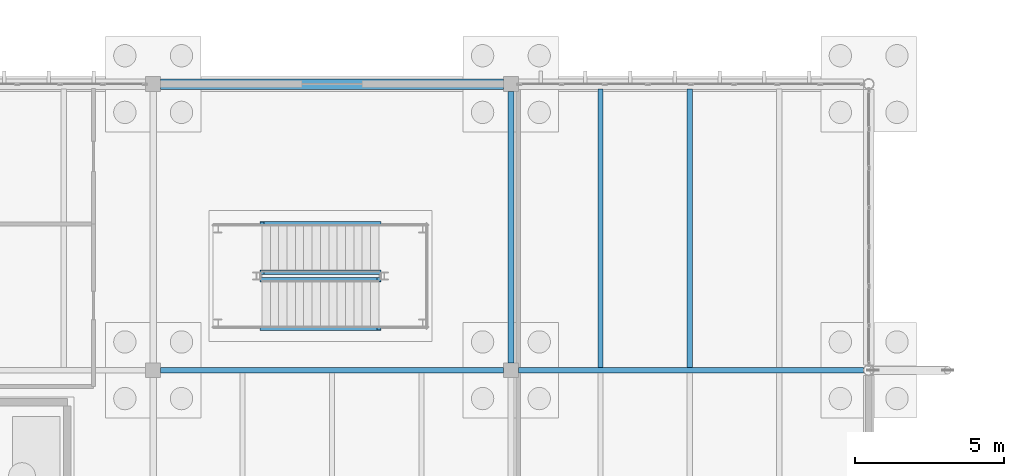
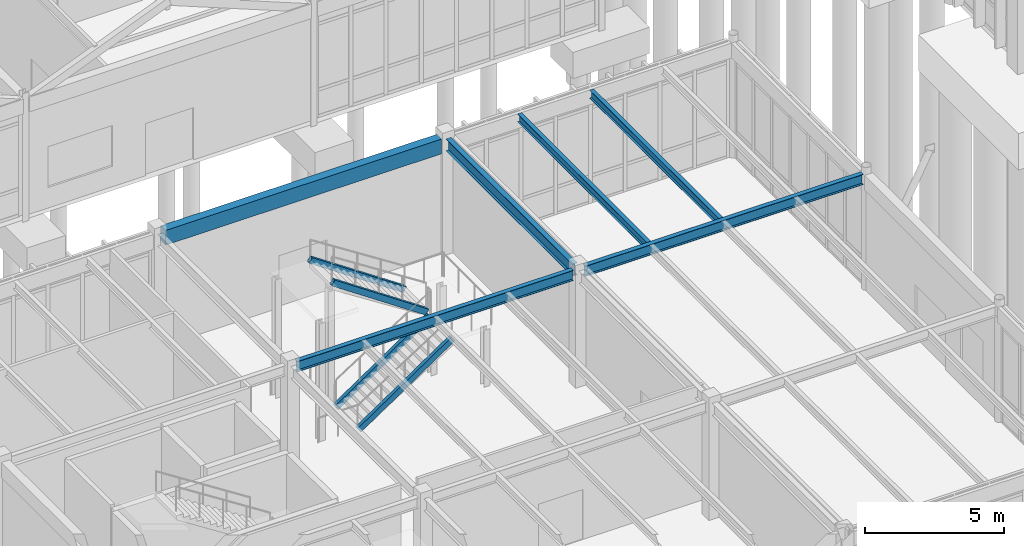
# One storey, part 30 of 188: 6 beams, 4 members.
"""IFC4 building model written with IfcOpenShell, lengths in metres."""

import ifcopenshell
import ifcopenshell.guid

model = None  # the IFC model being written
_history = None  # IfcOwnerHistory: only IFC2X3 demands one
_inside = {}  # id of a spatial element -> (the spatial element, [elements in it])
_under = {}  # id of a project, library or spatial element -> (it, [spatial elements below it])
_declared = {}  # id of a project -> (the project, [libraries it declares])
_typed = {}  # id of a type object -> (the type object, [elements of that type])
_made_of = {}  # id of a material, layer set ... -> (it, [elements and type objects made of it])


def new_model(schema):
    """Start an empty IFC model of exactly this schema.

    Asked for "IFC4X3", IfcOpenShell would pick the latest addendum, in which some entities
    have other attributes; the version numbers below select the first issue.
    IFC2X3 requires an IfcOwnerHistory on every rooted entity: one is made here for all.
    """
    global model, _history
    if schema == "IFC4X3":
        model = ifcopenshell.file(schema_version=(4, 3, 0, 0))
    else:
        model = ifcopenshell.file(schema=schema)
    _inside.clear()
    _under.clear()
    _declared.clear()
    _typed.clear()
    _made_of.clear()
    _history = None
    if model.schema == "IFC2X3":
        org = make("IfcOrganization", Name="unknown")
        user = make(
            "IfcPersonAndOrganization",
            ThePerson=make("IfcPerson", FamilyName="unknown"),
            TheOrganization=org,
        )
        app = make(
            "IfcApplication",
            ApplicationDeveloper=org,
            Version="unknown",
            ApplicationFullName="unknown",
            ApplicationIdentifier="unknown",
        )
        _history = make(
            "IfcOwnerHistory",
            OwningUser=user,
            OwningApplication=app,
            ChangeAction="ADDED",
            CreationDate=0,
        )
    return model


def make(cls, **values):
    """One entity of the class cls with the attributes given. An attribute that is None is left unset."""
    return model.create_entity(
        cls, **{name: value for name, value in values.items() if value is not None}
    )


def rooted(cls, **values):
    """An entity with a GlobalId (a new one), such as an element, a storey or a relation."""
    return make(cls, GlobalId=ifcopenshell.guid.new(), OwnerHistory=_history, **values)


def si_unit(unit_type, name, prefix=None):
    """IfcSIUnit, for example si_unit("LENGTHUNIT", "METRE", prefix="MILLI")."""
    return make("IfcSIUnit", UnitType=unit_type, Prefix=prefix, Name=name)


def assignment(units):
    """IfcUnitAssignment: the units of a project."""
    return None if units is None else make("IfcUnitAssignment", Units=units)


def point(xyz):
    """IfcCartesianPoint."""
    return None if xyz is None else make("IfcCartesianPoint", Coordinates=xyz)


def direction(xyz):
    """IfcDirection."""
    return None if xyz is None else make("IfcDirection", DirectionRatios=xyz)


def frame(location, z_axis=None, x_axis=None):
    """IfcAxis2Placement3D, a coordinate frame: its origin and axes. An axis left out is left unset."""
    return make(
        "IfcAxis2Placement3D",
        Location=point(location),
        Axis=direction(z_axis),
        RefDirection=direction(x_axis),
    )


def frame_2d(location, x_axis=None):
    """IfcAxis2Placement2D, a coordinate frame in the plane: its origin and x axis."""
    return make(
        "IfcAxis2Placement2D", Location=point(location), RefDirection=direction(x_axis)
    )


def origin():
    """The frame at (0, 0, 0) with its axes left unset."""
    return frame((0.0, 0.0, 0.0))


def origin_2d():
    """The frame at (0, 0) in the plane with its x axis left unset."""
    return frame_2d((0.0, 0.0))


def place(relative_to, where):
    """IfcLocalPlacement: puts the frame where relative to a parent placement (None: the world)."""
    return make(
        "IfcLocalPlacement", PlacementRelTo=relative_to, RelativePlacement=where
    )


def context(
    kind, dimensions, precision=None, world=None, true_north=None, identifier=None
):
    """IfcGeometricRepresentationContext, for example the 3D "Model" context."""
    return make(
        "IfcGeometricRepresentationContext",
        ContextIdentifier=identifier,
        ContextType=kind,
        CoordinateSpaceDimension=dimensions,
        Precision=precision,
        WorldCoordinateSystem=world,
        TrueNorth=true_north,
    )


def subcontext(parent, identifier, kind, view, scale=None):
    """IfcGeometricRepresentationSubContext, for example "Body" below "Model"."""
    return make(
        "IfcGeometricRepresentationSubContext",
        ContextIdentifier=identifier,
        ContextType=kind,
        ParentContext=parent,
        TargetScale=scale,
        TargetView=view,
    )


def project(units=None, contexts=None):
    """IfcProject with its units and contexts."""
    return rooted(
        "IfcProject",
        Name="project",
        RepresentationContexts=contexts,
        UnitsInContext=assignment(units),
    )


def spatial(cls, under=None, at=None, **own):
    """A site, building, storey or space (cls), placed at a placement, below another one or the project."""
    s = rooted(cls, ObjectPlacement=at, **own)
    if under is not None:
        _under.setdefault(under.id(), (under, []))[1].append(s)
    return s


def profile(cls, at=None, kind="AREA", **sizes):
    """A parametric profile (cls). Its sizes go by their IFC names, for example OverallWidth=200.0."""
    return make(cls, ProfileType=kind, Position=at, **sizes)


def rectangle(**sizes):
    """IfcRectangleProfileDef."""
    return profile("IfcRectangleProfileDef", **sizes)


def hollow_rectangle(**sizes):
    """IfcRectangleHollowProfileDef."""
    return profile("IfcRectangleHollowProfileDef", **sizes)


def i_section(**sizes):
    """IfcIShapeProfileDef."""
    return profile("IfcIShapeProfileDef", **sizes)


def extrude(swept, where, along, depth):
    """IfcExtrudedAreaSolid: the profile swept, set in the frame where, extruded along a direction by depth."""
    return make(
        "IfcExtrudedAreaSolid",
        SweptArea=swept,
        Position=where,
        ExtrudedDirection=direction(along),
        Depth=depth,
    )


def shape(context_of_items, identifier, shape_type, items):
    """IfcShapeRepresentation: the items that make up one representation, for example the "Body"."""
    return make(
        "IfcShapeRepresentation",
        ContextOfItems=context_of_items,
        RepresentationIdentifier=identifier,
        RepresentationType=shape_type,
        Items=items,
    )


def material(Name=None, Category=None):
    """IfcMaterial."""
    return make("IfcMaterial", Name=Name, Category=Category)


def material_profile(
    of_material, cross_section, Name=None, Category=None, Priority=None
):
    """IfcMaterialProfile: a cross section and its material."""
    return make(
        "IfcMaterialProfile",
        Name=Name,
        Material=of_material,
        Profile=cross_section,
        Priority=Priority,
        Category=Category,
    )


def profile_set(profiles, Name=None, composite=None):
    """IfcMaterialProfileSet."""
    return make(
        "IfcMaterialProfileSet",
        Name=Name,
        MaterialProfiles=profiles,
        CompositeProfile=composite,
    )


def made_of(thing, what):
    """Note that an element or type object is made of a material, layer set ...; save() writes the relation."""
    if what is not None:
        _made_of.setdefault(what.id(), (what, []))[1].append(thing)
    return thing


def type_object(cls, material=None, **own):
    """A type object (cls), such as IfcWallType, which elements share."""
    return made_of(rooted(cls, **own), material)


def element(
    cls,
    number,
    at=None,
    inside=None,
    cuts=None,
    type_object=None,
    material=None,
    context=None,
    identifier="Body",
    shape_type=None,
    held_by="IfcProductDefinitionShape",
    body=None,
    shapes=None,
    **own,
):
    """One element of the class cls, such as IfcWall. Its Tag is "e" and its number.

    at: its placement. inside: the storey or other place that contains it. cuts: it is an
    opening in that element (IfcRelVoidsElement). A single representation is given by context,
    identifier, shape_type and body (its items); several are given by shapes. held_by: the class
    of the entity that holds the representations. save() writes the other relations.
    """
    e = rooted(cls, Tag="e%d" % number, ObjectPlacement=at, **own)
    if body is not None:
        shapes = [shape(context, identifier, shape_type, body)]
    if shapes is not None:
        e.Representation = make(held_by, Representations=shapes)
    if inside is not None:
        _inside.setdefault(inside.id(), (inside, []))[1].append(e)
    if cuts is not None:
        rooted(
            "IfcRelVoidsElement", RelatingBuildingElement=cuts, RelatedOpeningElement=e
        )
    if type_object is not None:
        _typed.setdefault(type_object.id(), (type_object, []))[1].append(e)
    return made_of(e, material)


def aggregate(whole, parts):
    """IfcRelAggregates: a whole, such as a stair, and the parts it consists of."""
    return rooted("IfcRelAggregates", RelatingObject=whole, RelatedObjects=parts)


def save(model, path):
    """Write the relations noted so far, then the file.

    IfcRelAggregates (storeys below a building ...), IfcRelContainedInSpatialStructure (elements
    in a storey), IfcRelDefinesByType, IfcRelAssociatesMaterial and IfcRelDeclares: one each for
    every whole, place, type object, material and project.
    """
    for whole, parts in _under.values():
        aggregate(whole, parts)
    for where, things in _inside.values():
        rooted(
            "IfcRelContainedInSpatialStructure",
            RelatedElements=things,
            RelatingStructure=where,
        )
    for kind, things in _typed.values():
        rooted("IfcRelDefinesByType", RelatedObjects=things, RelatingType=kind)
    for what, things in _made_of.values():
        rooted("IfcRelAssociatesMaterial", RelatedObjects=things, RelatingMaterial=what)
    for by, libraries in _declared.values():
        rooted("IfcRelDeclares", RelatingContext=by, RelatedDefinitions=libraries)
    model.write(path)


model = new_model("IFC4")

# Units and contexts
model_context = context("Model", 3, precision=1e-05, world=origin(), true_north=direction((0.0, 1.0)))
body_context = subcontext(model_context, "Body", "Model", "MODEL_VIEW")
ifc_project = project(units=[si_unit("LENGTHUNIT", "METRE"), si_unit("AREAUNIT", "SQUARE_METRE"), si_unit("VOLUMEUNIT", "CUBIC_METRE"), si_unit("PLANEANGLEUNIT", "RADIAN"), si_unit("MASSUNIT", "GRAM", prefix="KILO")], contexts=[model_context])

# Site, building, storey
site_placement = place(None, origin())
site = spatial("IfcSite", under=ifc_project, at=site_placement, CompositionType="ELEMENT")
building_placement = place(site_placement, origin())
building = spatial("IfcBuilding", under=site, at=building_placement, Name="Pandanus Reach Market Hall", CompositionType="ELEMENT")
storey_placement = place(building_placement, origin())
storey = spatial("IfcBuildingStorey", under=building, at=storey_placement, Name="L00", CompositionType="ELEMENT", Elevation=0.0)

# Beams
ifc_material_1 = material(Name="Concrete N40 (40 MPa)", Category="concrete")
ifc_material_profile_1 = material_profile(ifc_material_1, rectangle(XDim=0.35009765625, YDim=0.64990234375, at=origin_2d()), Name="RC350x650", Category="LoadBearing")
ifc_profile_set_1 = profile_set([ifc_material_profile_1], Name="Concrete N40 (40 MPa)")
beam_type_1 = type_object("IfcBeamType", Name="BM-RC350-E", PredefinedType="SPANDREL", material=ifc_profile_set_1)
beam_1_placement = place(storey_placement, frame((12.248046875, 28.800048828125, 4.784912109375), z_axis=(1.0, 0.0, 0.0), x_axis=(0.0, 1.0, 0.0)))
element("IfcBeam", 1, at=beam_1_placement, inside=storey, type_object=beam_type_1, Name="Framing beam BM-RC350-E L00.931", PredefinedType="SPANDREL", context=body_context, shape_type="SweptSolid", body=[
    extrude(rectangle(XDim=0.35009765625, YDim=0.64990234375, at=origin_2d()), origin(), (0.0, 0.0, 1.0), 11.50390625),
])
ifc_material_2 = material(Name="Steel Grade 350 (350 MPa)", Category="steel")
ifc_material_profile_2 = material_profile(ifc_material_2, i_section(OverallWidth=0.18994140625, OverallDepth=0.45703125, WebThickness=0.009033203125, FlangeThickness=0.014404296875, at=origin_2d()), Name="460UB74.6", Category="LoadBearing")
ifc_profile_set_2 = profile_set([ifc_material_profile_2], Name="Steel Grade 350 (350 MPa)")
beam_type_2 = type_object("IfcBeamType", Name="BM-UB460-I", PredefinedType="BEAM", material=ifc_profile_set_2)
beam_2_placement = place(storey_placement, frame((12.248046875, 19.199951171875, 4.881103515625), z_axis=(1.0, 0.0, 0.0), x_axis=(0.0, 1.0, 0.0)))
element("IfcBeam", 2, at=beam_2_placement, inside=storey, type_object=beam_type_2, Name="Framing beam BM-UB460-I L00.928", PredefinedType="BEAM", context=body_context, shape_type="SweptSolid", body=[
    extrude(i_section(OverallWidth=0.18994140625, OverallDepth=0.45703125, WebThickness=0.009033203125, FlangeThickness=0.014404296875, at=origin_2d()), origin(), (0.0, 0.0, 1.0), 11.50390625),
])
beam_3_placement = place(storey_placement, frame((24.248046875, 19.199951171875, 4.881103515625), z_axis=(1.0, 0.0, 0.0), x_axis=(0.0, 1.0, 0.0)))
element("IfcBeam", 3, at=beam_3_placement, inside=storey, type_object=beam_type_2, Name="Framing beam BM-UB460-I L00.929", PredefinedType="BEAM", context=body_context, shape_type="SweptSolid", body=[
    extrude(i_section(OverallWidth=0.18994140625, OverallDepth=0.45703125, WebThickness=0.009033203125, FlangeThickness=0.014404296875, at=origin_2d()), origin(), (0.0, 0.0, 1.0), 11.576171875),
])
ifc_material_profile_3 = material_profile(ifc_material_2, i_section(OverallWidth=0.208984375, OverallDepth=0.532958984375, WebThickness=0.01025390625, FlangeThickness=0.015625, at=origin_2d()), Name="530UB92.4", Category="LoadBearing")
ifc_profile_set_3 = profile_set([ifc_material_profile_3], Name="Steel Grade 350 (350 MPa)")
beam_type_3 = type_object("IfcBeamType", Name="BM-UB530-I", PredefinedType="BEAM", material=ifc_profile_set_3)
beam_4_placement = place(storey_placement, frame((24.0, 19.447998046875, 4.843017578125), z_axis=(0.0, 1.0, 0.0), x_axis=(-1.0, 0.0, 0.0)))
element("IfcBeam", 4, at=beam_4_placement, inside=storey, type_object=beam_type_3, Name="Framing beam BM-UB530-I L00.941", PredefinedType="BEAM", context=body_context, shape_type="SweptSolid", body=[
    extrude(i_section(OverallWidth=0.208984375, OverallDepth=0.532958984375, WebThickness=0.01025390625, FlangeThickness=0.015625, at=origin_2d()), origin(), (0.0, 0.0, 1.0), 9.10400390625),
])
ifc_material_profile_4 = material_profile(ifc_material_2, i_section(OverallWidth=0.1708984375, OverallDepth=0.35595703125, WebThickness=0.00732421875, FlangeThickness=0.011474609375, at=origin_2d()), Name="360UB50.7", Category="LoadBearing")
ifc_profile_set_4 = profile_set([ifc_material_profile_4], Name="Steel Grade 350 (350 MPa)")
beam_type_4 = type_object("IfcBeamType", Name="JS-UB360-I", PredefinedType="JOIST", material=ifc_profile_set_4)
for number, where, z_axis, x_axis, name in (
    (5, (27.0, 19.29296875, 4.931640625), (0.0, 1.0, 0.0), (-1.0, 0.0, 0.0), "Secondary joist JS-UB360-I L00.963"),
    (6, (30.0, 19.29296875, 4.931640625), (0.0, 1.0, 0.0), (-1.0, 0.0, 0.0), "Secondary joist JS-UB360-I L00.964"),
):
    element("IfcBeam", number, at=place(storey_placement, frame(where, z_axis=z_axis, x_axis=x_axis)), inside=storey, type_object=beam_type_4, Name=name, PredefinedType="JOIST", context=body_context, shape_type="SweptSolid", body=[
        extrude(i_section(OverallWidth=0.1708984375, OverallDepth=0.35595703125, WebThickness=0.00732421875, FlangeThickness=0.011474609375, at=origin_2d()), origin(), (0.0, 0.0, 1.0), 9.333984375),
    ])

# Members
ifc_material_profile_5 = material_profile(ifc_material_2, hollow_rectangle(XDim=0.14990234375, YDim=0.25, WallThickness=0.009033203125, at=origin_2d()), Name="250x150x9.0RHS", Category="LoadBearing")
ifc_profile_set_5 = profile_set([ifc_material_profile_5], Name="Steel Grade 350 (350 MPa)")
member_type = type_object("IfcMemberType", Name="SG-RHS250-I", PredefinedType="STRINGER", material=ifc_profile_set_5)
for number, where, z_axis, x_axis, name in (
    (7, (15.64990234375, 20.610107421875, 0.02001953125), (0.827495442652, 0.0, 0.56147243244), (0.0, 1.0, 0.0), "Stair stringer ST-10 L00 F1L"),
    (8, (15.64990234375, 22.239990234375, 0.02001953125), (0.827495442652, 0.0, 0.56147243244), (0.0, 1.0, 0.0), "Stair stringer ST-10 L00 F1R"),
    (9, (19.570068359375, 24.110107421875, 2.719970703125), (-0.827495442652, 0.0, 0.56147243244), (0.0, -1.0, 0.0), "Stair stringer ST-10 L00 F2L"),
    (10, (19.570068359375, 22.47998046875, 2.719970703125), (-0.827495442652, 0.0, 0.56147243244), (0.0, -1.0, 0.0), "Stair stringer ST-10 L00 F2R"),
):
    element("IfcMember", number, at=place(storey_placement, frame(where, z_axis=z_axis, x_axis=x_axis)), inside=storey, type_object=member_type, Name=name, PredefinedType="STRINGER", context=body_context, shape_type="SweptSolid", body=[
        extrude(hollow_rectangle(XDim=0.14990234375, YDim=0.25, WallThickness=0.009033203125, at=origin_2d()), origin(), (0.0, 0.0, 1.0), 4.7373046875),
    ])

save(model, "model.ifc")
